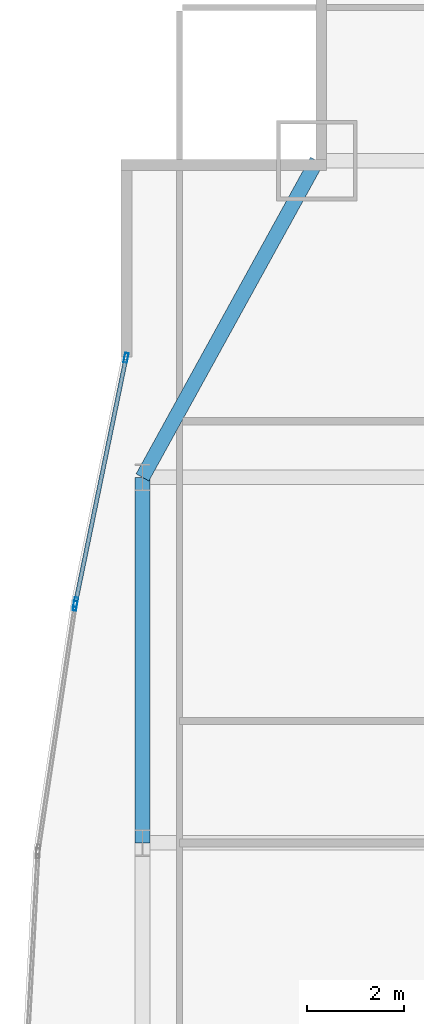
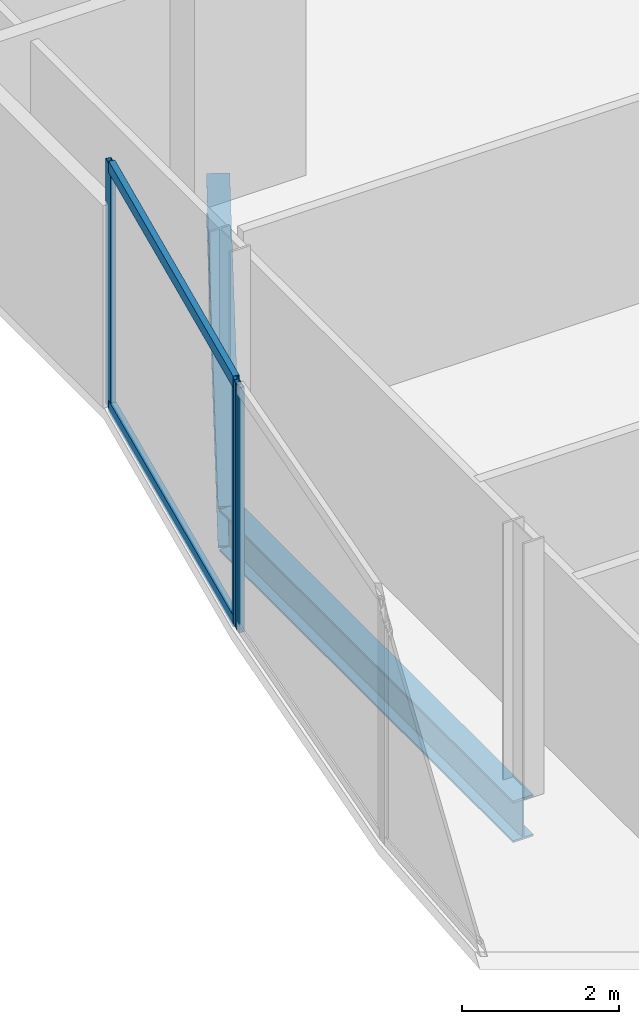
# One storey, part 16 of 36: 5 members, 2 beams, 2 elements without a shape of their own.
"""IFC4 building model written with IfcOpenShell, lengths in metres."""

import ifcopenshell
import ifcopenshell.guid

model = None  # the IFC model being written
_history = None  # IfcOwnerHistory: only IFC2X3 demands one
_inside = {}  # id of a spatial element -> (the spatial element, [elements in it])
_under = {}  # id of a project, library or spatial element -> (it, [spatial elements below it])
_declared = {}  # id of a project -> (the project, [libraries it declares])
_typed = {}  # id of a type object -> (the type object, [elements of that type])
_made_of = {}  # id of a material, layer set ... -> (it, [elements and type objects made of it])


def new_model(schema):
    """Start an empty IFC model of exactly this schema.

    Asked for "IFC4X3", IfcOpenShell would pick the latest addendum, in which some entities
    have other attributes; the version numbers below select the first issue.
    IFC2X3 requires an IfcOwnerHistory on every rooted entity: one is made here for all.
    """
    global model, _history
    if schema == "IFC4X3":
        model = ifcopenshell.file(schema_version=(4, 3, 0, 0))
    else:
        model = ifcopenshell.file(schema=schema)
    _inside.clear()
    _under.clear()
    _declared.clear()
    _typed.clear()
    _made_of.clear()
    _history = None
    if model.schema == "IFC2X3":
        org = make("IfcOrganization", Name="unknown")
        user = make(
            "IfcPersonAndOrganization",
            ThePerson=make("IfcPerson", FamilyName="unknown"),
            TheOrganization=org,
        )
        app = make(
            "IfcApplication",
            ApplicationDeveloper=org,
            Version="unknown",
            ApplicationFullName="unknown",
            ApplicationIdentifier="unknown",
        )
        _history = make(
            "IfcOwnerHistory",
            OwningUser=user,
            OwningApplication=app,
            ChangeAction="ADDED",
            CreationDate=0,
        )
    return model


def make(cls, **values):
    """One entity of the class cls with the attributes given. An attribute that is None is left unset."""
    return model.create_entity(
        cls, **{name: value for name, value in values.items() if value is not None}
    )


def rooted(cls, **values):
    """An entity with a GlobalId (a new one), such as an element, a storey or a relation."""
    return make(cls, GlobalId=ifcopenshell.guid.new(), OwnerHistory=_history, **values)


def si_unit(unit_type, name, prefix=None):
    """IfcSIUnit, for example si_unit("LENGTHUNIT", "METRE", prefix="MILLI")."""
    return make("IfcSIUnit", UnitType=unit_type, Prefix=prefix, Name=name)


def assignment(units):
    """IfcUnitAssignment: the units of a project."""
    return None if units is None else make("IfcUnitAssignment", Units=units)


def point(xyz):
    """IfcCartesianPoint."""
    return None if xyz is None else make("IfcCartesianPoint", Coordinates=xyz)


def direction(xyz):
    """IfcDirection."""
    return None if xyz is None else make("IfcDirection", DirectionRatios=xyz)


def frame(location, z_axis=None, x_axis=None):
    """IfcAxis2Placement3D, a coordinate frame: its origin and axes. An axis left out is left unset."""
    return make(
        "IfcAxis2Placement3D",
        Location=point(location),
        Axis=direction(z_axis),
        RefDirection=direction(x_axis),
    )


def frame_2d(location, x_axis=None):
    """IfcAxis2Placement2D, a coordinate frame in the plane: its origin and x axis."""
    return make(
        "IfcAxis2Placement2D", Location=point(location), RefDirection=direction(x_axis)
    )


def origin():
    """The frame at (0, 0, 0) with its axes left unset."""
    return frame((0.0, 0.0, 0.0))


def origin_2d():
    """The frame at (0, 0) in the plane with its x axis left unset."""
    return frame_2d((0.0, 0.0))


def place(relative_to, where):
    """IfcLocalPlacement: puts the frame where relative to a parent placement (None: the world)."""
    return make(
        "IfcLocalPlacement", PlacementRelTo=relative_to, RelativePlacement=where
    )


def context(
    kind, dimensions, precision=None, world=None, true_north=None, identifier=None
):
    """IfcGeometricRepresentationContext, for example the 3D "Model" context."""
    return make(
        "IfcGeometricRepresentationContext",
        ContextIdentifier=identifier,
        ContextType=kind,
        CoordinateSpaceDimension=dimensions,
        Precision=precision,
        WorldCoordinateSystem=world,
        TrueNorth=true_north,
    )


def subcontext(parent, identifier, kind, view, scale=None):
    """IfcGeometricRepresentationSubContext, for example "Body" below "Model"."""
    return make(
        "IfcGeometricRepresentationSubContext",
        ContextIdentifier=identifier,
        ContextType=kind,
        ParentContext=parent,
        TargetScale=scale,
        TargetView=view,
    )


def project(units=None, contexts=None):
    """IfcProject with its units and contexts."""
    return rooted(
        "IfcProject",
        Name="project",
        RepresentationContexts=contexts,
        UnitsInContext=assignment(units),
    )


def spatial(cls, under=None, at=None, **own):
    """A site, building, storey or space (cls), placed at a placement, below another one or the project."""
    s = rooted(cls, ObjectPlacement=at, **own)
    if under is not None:
        _under.setdefault(under.id(), (under, []))[1].append(s)
    return s


def profile(cls, at=None, kind="AREA", **sizes):
    """A parametric profile (cls). Its sizes go by their IFC names, for example OverallWidth=200.0."""
    return make(cls, ProfileType=kind, Position=at, **sizes)


def hollow_rectangle(**sizes):
    """IfcRectangleHollowProfileDef."""
    return profile("IfcRectangleHollowProfileDef", **sizes)


def i_section(**sizes):
    """IfcIShapeProfileDef."""
    return profile("IfcIShapeProfileDef", **sizes)


def extrude(swept, where, along, depth):
    """IfcExtrudedAreaSolid: the profile swept, set in the frame where, extruded along a direction by depth."""
    return make(
        "IfcExtrudedAreaSolid",
        SweptArea=swept,
        Position=where,
        ExtrudedDirection=direction(along),
        Depth=depth,
    )


def shape(context_of_items, identifier, shape_type, items):
    """IfcShapeRepresentation: the items that make up one representation, for example the "Body"."""
    return make(
        "IfcShapeRepresentation",
        ContextOfItems=context_of_items,
        RepresentationIdentifier=identifier,
        RepresentationType=shape_type,
        Items=items,
    )


def material(Name=None, Category=None):
    """IfcMaterial."""
    return make("IfcMaterial", Name=Name, Category=Category)


def material_profile(
    of_material, cross_section, Name=None, Category=None, Priority=None
):
    """IfcMaterialProfile: a cross section and its material."""
    return make(
        "IfcMaterialProfile",
        Name=Name,
        Material=of_material,
        Profile=cross_section,
        Priority=Priority,
        Category=Category,
    )


def profile_set(profiles, Name=None, composite=None):
    """IfcMaterialProfileSet."""
    return make(
        "IfcMaterialProfileSet",
        Name=Name,
        MaterialProfiles=profiles,
        CompositeProfile=composite,
    )


def made_of(thing, what):
    """Note that an element or type object is made of a material, layer set ...; save() writes the relation."""
    if what is not None:
        _made_of.setdefault(what.id(), (what, []))[1].append(thing)
    return thing


def type_object(cls, material=None, **own):
    """A type object (cls), such as IfcWallType, which elements share."""
    return made_of(rooted(cls, **own), material)


def element(
    cls,
    number,
    at=None,
    inside=None,
    cuts=None,
    type_object=None,
    material=None,
    context=None,
    identifier="Body",
    shape_type=None,
    held_by="IfcProductDefinitionShape",
    body=None,
    shapes=None,
    **own,
):
    """One element of the class cls, such as IfcWall. Its Tag is "e" and its number.

    at: its placement. inside: the storey or other place that contains it. cuts: it is an
    opening in that element (IfcRelVoidsElement). A single representation is given by context,
    identifier, shape_type and body (its items); several are given by shapes. held_by: the class
    of the entity that holds the representations. save() writes the other relations.
    """
    e = rooted(cls, Tag="e%d" % number, ObjectPlacement=at, **own)
    if body is not None:
        shapes = [shape(context, identifier, shape_type, body)]
    if shapes is not None:
        e.Representation = make(held_by, Representations=shapes)
    if inside is not None:
        _inside.setdefault(inside.id(), (inside, []))[1].append(e)
    if cuts is not None:
        rooted(
            "IfcRelVoidsElement", RelatingBuildingElement=cuts, RelatedOpeningElement=e
        )
    if type_object is not None:
        _typed.setdefault(type_object.id(), (type_object, []))[1].append(e)
    return made_of(e, material)


def aggregate(whole, parts):
    """IfcRelAggregates: a whole, such as a stair, and the parts it consists of."""
    return rooted("IfcRelAggregates", RelatingObject=whole, RelatedObjects=parts)


def save(model, path):
    """Write the relations noted so far, then the file.

    IfcRelAggregates (storeys below a building ...), IfcRelContainedInSpatialStructure (elements
    in a storey), IfcRelDefinesByType, IfcRelAssociatesMaterial and IfcRelDeclares: one each for
    every whole, place, type object, material and project.
    """
    for whole, parts in _under.values():
        aggregate(whole, parts)
    for where, things in _inside.values():
        rooted(
            "IfcRelContainedInSpatialStructure",
            RelatedElements=things,
            RelatingStructure=where,
        )
    for kind, things in _typed.values():
        rooted("IfcRelDefinesByType", RelatedObjects=things, RelatingType=kind)
    for what, things in _made_of.values():
        rooted("IfcRelAssociatesMaterial", RelatedObjects=things, RelatingMaterial=what)
    for by, libraries in _declared.values():
        rooted("IfcRelDeclares", RelatingContext=by, RelatedDefinitions=libraries)
    model.write(path)


model = new_model("IFC4")

# Units and contexts
model_context = context("Model", 3, precision=1e-05, world=origin(), true_north=direction((0.0, 1.0)))
body_context = subcontext(model_context, "Body", "Model", "MODEL_VIEW")
ifc_project = project(units=[si_unit("LENGTHUNIT", "METRE"), si_unit("AREAUNIT", "SQUARE_METRE"), si_unit("VOLUMEUNIT", "CUBIC_METRE"), si_unit("PLANEANGLEUNIT", "RADIAN"), si_unit("MASSUNIT", "GRAM", prefix="KILO")], contexts=[model_context])

# Site, building, storey
site_placement = place(None, origin())
site = spatial("IfcSite", under=ifc_project, at=site_placement, CompositionType="ELEMENT")
building_placement = place(site_placement, origin())
building = spatial("IfcBuilding", under=site, at=building_placement, Name="Khoronbel Lancet Exchange", CompositionType="ELEMENT")
storey_placement = place(building_placement, frame((0.0, 0.0, 57.800048828125)))
storey = spatial("IfcBuildingStorey", under=building, at=storey_placement, Name="L13", CompositionType="ELEMENT", Elevation=57.800048828125)

# Beams
ifc_material_1 = material(Name="Steel S355", Category="steel")
ifc_material_profile_1 = material_profile(ifc_material_1, i_section(OverallWidth=0.300048828125, OverallDepth=0.64990234375, WebThickness=0.01611328125, FlangeThickness=0.031005859375, at=origin_2d()), Name="HEB 650")
ifc_profile_set_1 = profile_set([ifc_material_profile_1], Name="Steel S355")
beam_type = type_object("IfcBeamType", Name="BM-BSP1", PredefinedType="SPANDREL", material=ifc_profile_set_1)
beam_1_placement = place(storey_placement, frame((4.85009765625, 49.699951171875, -0.505126953125), z_axis=(-0.482444051088, -0.875926787791, 0.0), x_axis=(0.875926787791, -0.482444051088, 0.0)))
element("IfcBeam", 1, at=beam_1_placement, inside=storey, type_object=beam_type, Name="Level L13 perimeter spandrel beam SP16", PredefinedType="SPANDREL", context=body_context, shape_type="SweptSolid", body=[
    extrude(i_section(OverallWidth=0.300048828125, OverallDepth=0.64990234375, WebThickness=0.01611328125, FlangeThickness=0.031005859375, at=origin_2d()), origin(), (0.0, 0.0, 1.0), 7.420654296875),
])
beam_2_placement = place(storey_placement, frame((1.27001953125, 43.199951171875, -0.505126953125), z_axis=(0.0, -1.0, 0.0), x_axis=(1.0, 0.0, 0.0)))
element("IfcBeam", 2, at=beam_2_placement, inside=storey, type_object=beam_type, Name="Level L13 perimeter spandrel beam SP17", PredefinedType="SPANDREL", context=body_context, shape_type="SweptSolid", body=[
    extrude(i_section(OverallWidth=0.300048828125, OverallDepth=0.64990234375, WebThickness=0.01611328125, FlangeThickness=0.031005859375, at=origin_2d()), origin(), (0.0, 0.0, 1.0), 7.5),
])

# Curtain wall, member
ifc_material_2 = material(Name="Low-E Solar Control Insulating Glass", Category="glass")
curtain_wall_type = type_object("IfcCurtainWallType", Name="CW-4", PredefinedType="NOTDEFINED", material=ifc_material_2)
curtain_wall_1_placement = place(storey_placement, origin())
curtain_wall_1 = element("IfcCurtainWall", 3, at=curtain_wall_1_placement, inside=storey, type_object=curtain_wall_type, Name="Unitised curtain wall CW-L13-E08", PredefinedType="NOTDEFINED")
ifc_material_3 = material(Name="Bronze-Anodised Aluminium 6063-T6", Category="aluminium")
ifc_material_profile_2 = material_profile(ifc_material_3, hollow_rectangle(XDim=0.074951171875, YDim=0.199951171875, WallThickness=0.0048828125, at=origin_2d()), Name="ALU MULLION 75x200")
ifc_profile_set_2 = profile_set([ifc_material_profile_2], Name="Bronze-Anodised Aluminium 6063-T6")
member_type_1 = type_object("IfcMemberType", Name="MEM-CWM2", PredefinedType="MULLION", material=ifc_profile_set_2)
member_1_placement = place(storey_placement, frame((-0.11376953125, 40.563720703125, 0.0), z_axis=(0.0, 0.0, 1.0), x_axis=(-0.988825213041, 0.149079502463, 0.0)))
member_1 = element("IfcMember", 4, at=member_1_placement, type_object=member_type_1, Name="CW4 mullion 2", PredefinedType="MULLION", context=body_context, shape_type="SweptSolid", body=[
    extrude(hollow_rectangle(XDim=0.074951171875, YDim=0.199951171875, WallThickness=0.0048828125, at=origin_2d()), origin(), (0.0, 0.0, 1.0), 3.820068359375),
])
aggregate(curtain_wall_1, [member_1])

# Curtain wall, members
curtain_wall_2_placement = place(storey_placement, origin())
curtain_wall_2 = element("IfcCurtainWall", 5, at=curtain_wall_2_placement, inside=storey, type_object=curtain_wall_type, Name="Unitised curtain wall CW-L13-E09", PredefinedType="NOTDEFINED")
member_2_placement = place(storey_placement, frame((-0.1005859375, 40.6376953125, 0.0), z_axis=(0.0, 0.0, 1.0), x_axis=(-0.979446422351, 0.201704501049, 0.0)))
member_2 = element("IfcMember", 6, at=member_2_placement, type_object=member_type_1, Name="CW4 mullion 1", PredefinedType="MULLION", context=body_context, shape_type="SweptSolid", body=[
    extrude(hollow_rectangle(XDim=0.074951171875, YDim=0.199951171875, WallThickness=0.0048828125, at=origin_2d()), origin(), (0.0, 0.0, 1.0), 3.820068359375),
])
member_3_placement = place(storey_placement, frame((0.932373046875, 45.654052734375, 0.0), z_axis=(0.0, 0.0, 1.0), x_axis=(-0.979446422351, 0.201704501049, 0.0)))
member_3 = element("IfcMember", 7, at=member_3_placement, type_object=member_type_1, Name="CW4 mullion 2", PredefinedType="MULLION", context=body_context, shape_type="SweptSolid", body=[
    extrude(hollow_rectangle(XDim=0.074951171875, YDim=0.199951171875, WallThickness=0.0048828125, at=origin_2d()), origin(), (0.0, 0.0, 1.0), 3.820068359375),
])
ifc_material_profile_3 = material_profile(ifc_material_3, hollow_rectangle(XDim=0.0849609375, YDim=0.179931640625, WallThickness=0.0048828125, at=origin_2d()), Name="ALU TRANSOM 85x180")
ifc_profile_set_3 = profile_set([ifc_material_profile_3], Name="Bronze-Anodised Aluminium 6063-T6")
member_type_2 = type_object("IfcMemberType", Name="MEM-CWT1", PredefinedType="USERDEFINED", material=ifc_profile_set_3)
member_4_placement = place(storey_placement, frame((-0.093017578125, 40.67431640625, 0.04248046875), z_axis=(0.201676124642, 0.979452265682, 0.0), x_axis=(-0.979452265682, 0.201676124642, 0.0)))
member_4 = element("IfcMember", 8, at=member_4_placement, type_object=member_type_2, Name="CW4 transom 1.1", ObjectType="TRANSOM", PredefinedType="USERDEFINED", context=body_context, shape_type="SweptSolid", body=[
    extrude(hollow_rectangle(XDim=0.0849609375, YDim=0.179931640625, WallThickness=0.0048828125, at=origin_2d()), origin(), (0.0, 0.0, 1.0), 5.046875),
])
member_5_placement = place(storey_placement, frame((-0.093017578125, 40.67431640625, 3.77734375), z_axis=(0.201676124642, 0.979452265682, 0.0), x_axis=(-0.979452265682, 0.201676124642, 0.0)))
member_5 = element("IfcMember", 9, at=member_5_placement, type_object=member_type_2, Name="CW4 transom 1.2", ObjectType="TRANSOM", PredefinedType="USERDEFINED", context=body_context, shape_type="SweptSolid", body=[
    extrude(hollow_rectangle(XDim=0.0849609375, YDim=0.179931640625, WallThickness=0.0048828125, at=origin_2d()), origin(), (0.0, 0.0, 1.0), 5.046875),
])
aggregate(curtain_wall_2, [member_2, member_3, member_4, member_5])

save(model, "model.ifc")
